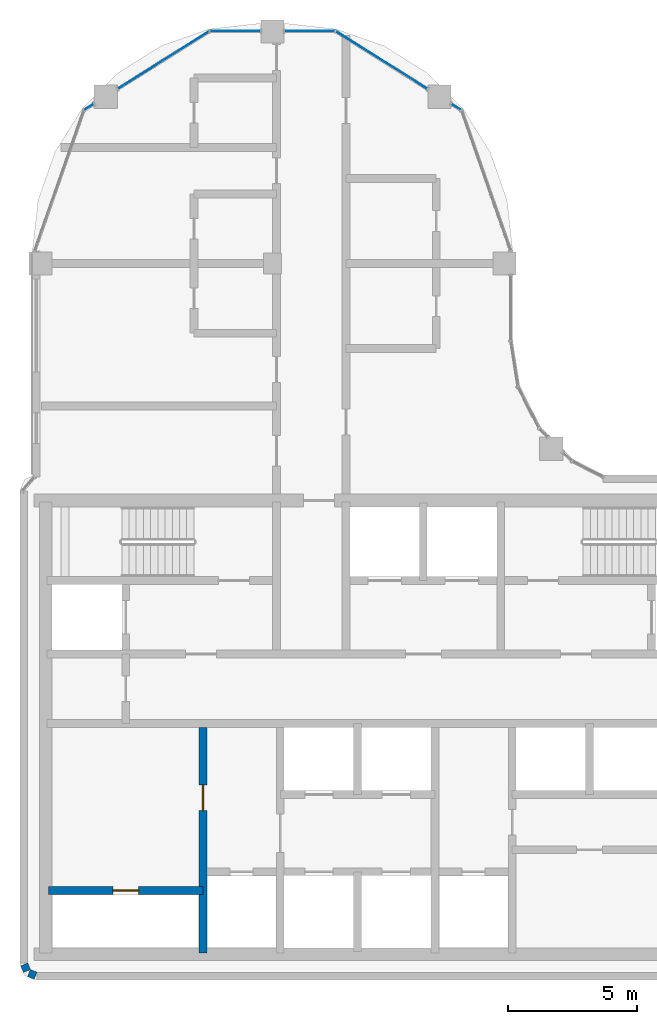
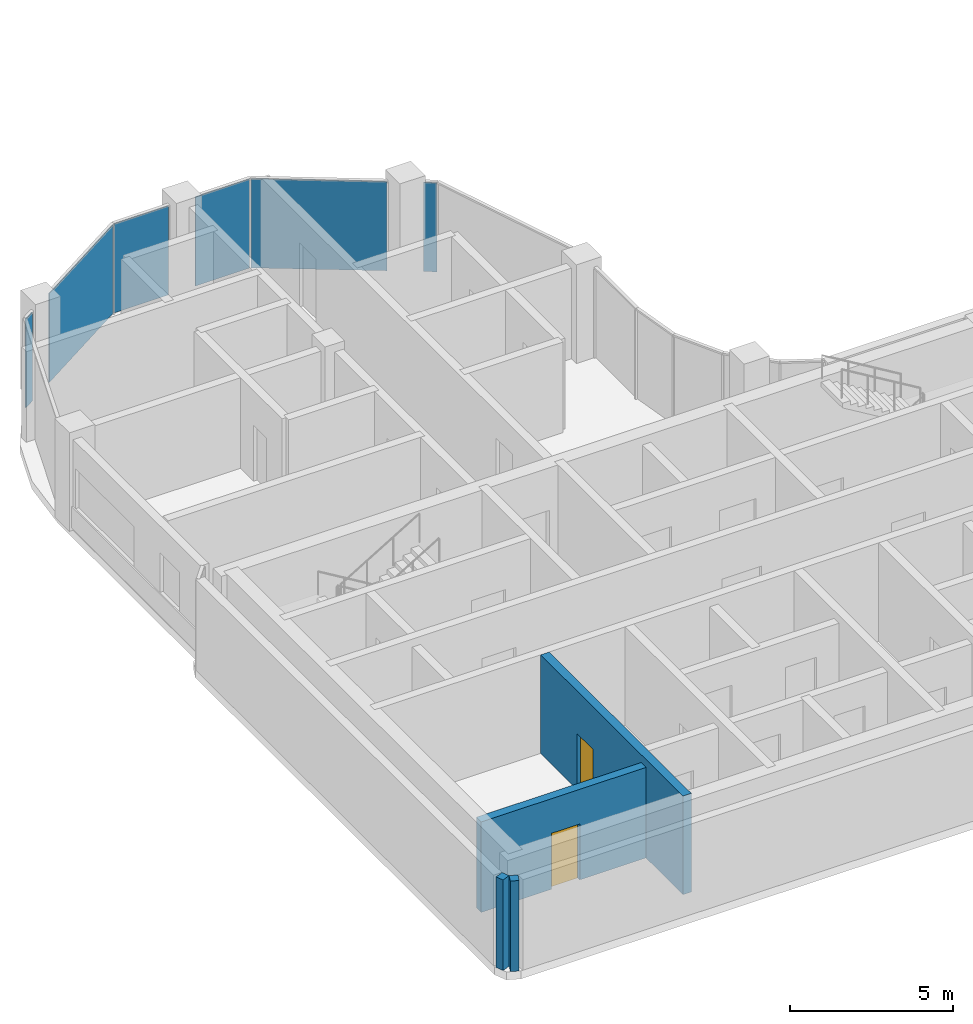
# One storey, part 9 of 19: 6 plates, 4 walls, 2 doors, 2 openings, 4 elements without a shape of their own.
"""IFC4 building model written with IfcOpenShell, lengths in metres."""

from ifc_helpers import new_model, si_unit, direction, frame, frame_2d, origin, origin_2d, place, context, subcontext, project, spatial, rectangle, extrude, material, layer, layer_set, type_object, element, fill, aggregate, save


model = new_model("IFC4")

# Units and contexts
model_context = context("Model", 3, precision=1e-05, world=origin(), true_north=direction((0.0, 1.0)))
body_context = subcontext(model_context, "Body", "Model", "MODEL_VIEW")
ifc_project = project(units=[si_unit("LENGTHUNIT", "METRE"), si_unit("AREAUNIT", "SQUARE_METRE"), si_unit("VOLUMEUNIT", "CUBIC_METRE"), si_unit("PLANEANGLEUNIT", "RADIAN"), si_unit("MASSUNIT", "GRAM", prefix="KILO")], contexts=[model_context])

# Site, building, storey
site_placement = place(None, origin())
site = spatial("IfcSite", under=ifc_project, at=site_placement, CompositionType="ELEMENT")
building_placement = place(site_placement, origin())
building = spatial("IfcBuilding", under=site, at=building_placement, Name="Ogive Portal Towers", CompositionType="ELEMENT")
storey_placement = place(building_placement, frame((0.0, 0.0, 218.0)))
storey = spatial("IfcBuildingStorey", under=building, at=storey_placement, Name="L54", CompositionType="ELEMENT", Elevation=218.0)

# Curtain wall, plate
ifc_material_1 = material(Name="Glass, clear low-iron insulated glazing", Category="glass")
curtain_wall_type = type_object("IfcCurtainWallType", Name="CW FRONT RIBBON 4500", PredefinedType="NOTDEFINED", material=ifc_material_1)
curtain_wall_1_placement = place(storey_placement, origin())
curtain_wall_1 = element("IfcCurtainWall", 1, at=curtain_wall_1_placement, inside=storey, type_object=curtain_wall_type, Name="A:L54:f07:cwa~0", PredefinedType="NOTDEFINED")
ifc_layer_1 = layer(ifc_material_1, 0.028076171875)
ifc_layer_set_1 = layer_set([ifc_layer_1], Name="CW PANEL IGU 28")
plate_type = type_object("IfcPlateType", Name="CW PANEL IGU 28", PredefinedType="CURTAIN_PANEL", material=ifc_layer_set_1)
plate_1_placement = place(storey_placement, frame((47.626220703125, 54.573974609375, 0.0), z_axis=(0.0, 0.0, 1.0), x_axis=(-0.846724199227, 0.532032076517, 0.0)))
plate_1 = element("IfcPlate", 2, at=plate_1_placement, type_object=plate_type, Name="panel", PredefinedType="CURTAIN_PANEL", context=body_context, shape_type="SweptSolid", body=[
    extrude(rectangle(XDim=0.420166015625, YDim=0.028076171875, at=origin_2d()), origin(), (0.0, 0.0, 1.0), 3.340087890625),
])
aggregate(curtain_wall_1, [plate_1])

# Curtain wall, plates
curtain_wall_2_placement = place(storey_placement, origin())
curtain_wall_2 = element("IfcCurtainWall", 3, at=curtain_wall_2_placement, inside=storey, type_object=curtain_wall_type, Name="A:L54:f07:cwa~1", PredefinedType="NOTDEFINED")
plate_2_placement = place(storey_placement, frame((44.731201171875, 56.39306640625, 0.0), z_axis=(0.0, 0.0, 1.0), x_axis=(-0.846724199227, 0.532032076517, 0.0)))
plate_2 = element("IfcPlate", 4, at=plate_2_placement, type_object=plate_type, Name="panel", PredefinedType="CURTAIN_PANEL", context=body_context, shape_type="SweptSolid", body=[
    extrude(rectangle(XDim=4.172119140625, YDim=0.028076171875, at=origin_2d()), origin(), (0.0, 0.0, 1.0), 3.340087890625),
])
plate_3_placement = place(storey_placement, frame((41.94482421875, 57.518798828125, 0.0), z_axis=(0.0, 0.0, 1.0), x_axis=(-1.0, 0.0, 0.0)))
plate_3 = element("IfcPlate", 5, at=plate_3_placement, type_object=plate_type, Name="panel", PredefinedType="CURTAIN_PANEL", context=body_context, shape_type="SweptSolid", body=[
    extrude(rectangle(XDim=1.9296875, YDim=0.028076171875, at=origin_2d()), origin(), (0.0, 0.0, 1.0), 3.340087890625),
])
aggregate(curtain_wall_2, [plate_2, plate_3])

curtain_wall_3_placement = place(storey_placement, origin())
curtain_wall_3 = element("IfcCurtainWall", 6, at=curtain_wall_3_placement, inside=storey, type_object=curtain_wall_type, Name="A:L54:f07:cwa~2", PredefinedType="NOTDEFINED")
plate_4_placement = place(storey_placement, frame((39.05517578125, 57.518798828125, 0.0), z_axis=(0.0, 0.0, 1.0), x_axis=(-1.0, 0.0, 0.0)))
plate_4 = element("IfcPlate", 7, at=plate_4_placement, type_object=plate_type, Name="panel", PredefinedType="CURTAIN_PANEL", context=body_context, shape_type="SweptSolid", body=[
    extrude(rectangle(XDim=1.9296875, YDim=0.028076171875, at=origin_2d()), origin(), (0.0, 0.0, 1.0), 3.340087890625),
])
plate_5_placement = place(storey_placement, frame((36.268798828125, 56.39306640625, 0.0), z_axis=(0.0, 0.0, 1.0), x_axis=(-0.846724199227, -0.532032076517, 0.0)))
plate_5 = element("IfcPlate", 8, at=plate_5_placement, type_object=plate_type, Name="panel", PredefinedType="CURTAIN_PANEL", context=body_context, shape_type="SweptSolid", body=[
    extrude(rectangle(XDim=4.172119140625, YDim=0.028076171875, at=origin_2d()), origin(), (0.0, 0.0, 1.0), 3.340087890625),
])
aggregate(curtain_wall_3, [plate_4, plate_5])

# Curtain wall, plate
curtain_wall_4_placement = place(storey_placement, origin())
curtain_wall_4 = element("IfcCurtainWall", 9, at=curtain_wall_4_placement, inside=storey, type_object=curtain_wall_type, Name="A:L54:f07:cwa~3", PredefinedType="NOTDEFINED")
plate_6_placement = place(storey_placement, frame((33.373779296875, 54.573974609375, 0.0), z_axis=(0.0, 0.0, 1.0), x_axis=(-0.846724199227, -0.532032076517, 0.0)))
plate_6 = element("IfcPlate", 10, at=plate_6_placement, type_object=plate_type, Name="panel", PredefinedType="CURTAIN_PANEL", context=body_context, shape_type="SweptSolid", body=[
    extrude(rectangle(XDim=0.420166015625, YDim=0.028076171875, at=origin_2d()), origin(), (0.0, 0.0, 1.0), 3.340087890625),
])
aggregate(curtain_wall_4, [plate_6])

# Wall, opening, door
ifc_material_2 = material(Name="Concrete C60/75", Category="concrete")
ifc_layer_2 = layer(ifc_material_2, 0.300048828125)
ifc_layer_set_2 = layer_set([ifc_layer_2], Name="CORE WALL 300 C60")
wall_type_1 = type_object("IfcWallType", Name="CORE WALL 300 C60", PredefinedType="SHEAR", material=ifc_layer_set_2)
wall_1_placement = place(storey_placement, frame((37.800048828125, 21.75, 0.0), z_axis=(0.0, 0.0, 1.0), x_axis=(0.0, 1.0, 0.0)))
wall_1 = element("IfcWall", 11, at=wall_1_placement, inside=storey, type_object=wall_type_1, Name="Core wall X1 L54", PredefinedType="SHEAR", context=body_context, shape_type="SweptSolid", body=[
    extrude(rectangle(XDim=8.75, YDim=0.300048828125, at=frame_2d((4.375, 0.0))), origin(), (0.0, 0.0, 1.0), 3.699951171875),
])
opening_1_placement = place(wall_1_placement, frame((5.52490234375, 0.0, 0.0)))
opening_1 = element("IfcOpeningElement", 12, at=opening_1_placement, cuts=wall_1, Name="Opening D24-020", PredefinedType="OPENING", context=body_context, shape_type="SweptSolid", body=[
    extrude(rectangle(XDim=1.0, YDim=2.10009765625, at=frame_2d((0.5, 1.050048828125))), frame((0.0, 0.16015625, 0.0), z_axis=(0.0, -1.0, 0.0), x_axis=(1.0, 0.0, 0.0)), (0.0, 0.0, 1.0), 0.320068359375),
])
ifc_material_3 = material(Name="Steel fire door", Category="steel")
door_type_1 = type_object("IfcDoorType", Name="DT-SWING-1000x2100-FD90S", OperationType="SINGLE_SWING_LEFT", PredefinedType="DOOR", material=ifc_material_3)
door_1_placement = place(opening_1_placement, origin())
door_1 = element("IfcDoor", 13, at=door_1_placement, inside=storey, type_object=door_type_1, Name="Door D24-020", OperationType="SINGLE_SWING_LEFT", OverallHeight=2.10009765625, OverallWidth=1.0, PredefinedType="DOOR", context=body_context, shape_type="SweptSolid", body=[
    extrude(rectangle(XDim=1.0, YDim=2.10009765625, at=frame_2d((0.5, 1.050048828125))), frame((0.0, 0.02490234375, 0.0), z_axis=(0.0, -1.0, 0.0), x_axis=(1.0, 0.0, 0.0)), (0.0, 0.0, 1.0), 0.050048828125),
])
fill(opening_1, door_1)

# Walls
ifc_material_4 = material(Name="Limestone cladding on lightweight block wall", Category="masonry")
ifc_layer_3 = layer(ifc_material_4, 0.300048828125)
ifc_layer_set_3 = layer_set([ifc_layer_3], Name="EXTERNAL WALL 300 STONE")
wall_type_2 = type_object("IfcWallType", Name="EXTERNAL WALL 300 STONE", PredefinedType="SOLIDWALL", material=ifc_layer_set_3)
for number, where, z_axis, x_axis, name in (
    (14, (30.861328125, 21.30224609375, 0.0), (0.0, 0.0, 1.0), (0.38297812142, -0.923757413239, 0.0), "A:L54:f15:r0:wall"),
    (15, (31.0478515625, 20.966796875, 0.0), (0.0, 0.0, 1.0), (0.923757413239, -0.38297812142, 0.0), "A:L54:f16:r0:wall"),
):
    element("IfcWall", number, at=place(storey_placement, frame(where, z_axis=z_axis, x_axis=x_axis)), inside=storey, type_object=wall_type_2, Name=name, PredefinedType="SOLIDWALL", context=body_context, shape_type="SweptSolid", body=[
        extrude(rectangle(XDim=0.275390625, YDim=0.300048828125, at=frame_2d((0.1376953125, 0.0))), origin(), (0.0, 0.0, 1.0), 3.39990234375),
    ])

# Wall, opening, door
ifc_material_5 = material(Name="Gypsum board partition on steel studs", Category="steel")
ifc_layer_4 = layer(ifc_material_5, 0.300048828125)
ifc_layer_set_4 = layer_set([ifc_layer_4], Name="WT-PART-300")
wall_type_3 = type_object("IfcWallType", Name="WT-PART-300", PredefinedType="PARTITIONING", material=ifc_layer_set_4)
wall_2_placement = place(storey_placement, frame((31.800048828125, 24.173095703125, 0.0), z_axis=(0.0, 0.0, 1.0), x_axis=(1.0, 0.0, 0.0)))
wall_2 = element("IfcWall", 16, at=wall_2_placement, inside=storey, type_object=wall_type_3, Name="Wall pw:001:L54", PredefinedType="PARTITIONING", context=body_context, shape_type="SweptSolid", body=[
    extrude(rectangle(XDim=6.0, YDim=0.300048828125, at=frame_2d((3.0, 0.0))), origin(), (0.0, 0.0, 1.0), 3.39990234375),
])
opening_2_placement = place(wall_2_placement, frame((2.5, 0.0, 0.0)))
opening_2 = element("IfcOpeningElement", 17, at=opening_2_placement, cuts=wall_2, Name="Opening D24-021", PredefinedType="OPENING", context=body_context, shape_type="SweptSolid", body=[
    extrude(rectangle(XDim=1.0, YDim=2.10009765625, at=frame_2d((0.5, 1.050048828125))), frame((0.0, 0.16015625, 0.0), z_axis=(0.0, -1.0, 0.0), x_axis=(1.0, 0.0, 0.0)), (0.0, 0.0, 1.0), 0.320068359375),
])
door_type_2 = type_object("IfcDoorType", Name="DT-SWING-1000x2100-FD60S", OperationType="SINGLE_SWING_LEFT", PredefinedType="DOOR", material=ifc_material_3)
door_2_placement = place(opening_2_placement, origin())
door_2 = element("IfcDoor", 18, at=door_2_placement, inside=storey, type_object=door_type_2, Name="Riser access door D24-021", OperationType="SINGLE_SWING_RIGHT", OverallHeight=2.10009765625, OverallWidth=1.0, PredefinedType="DOOR", context=body_context, shape_type="SweptSolid", body=[
    extrude(rectangle(XDim=1.0, YDim=2.10009765625, at=frame_2d((0.5, 1.050048828125))), frame((0.0, 0.02490234375, 0.0), z_axis=(0.0, -1.0, 0.0), x_axis=(1.0, 0.0, 0.0)), (0.0, 0.0, 1.0), 0.050048828125),
])
fill(opening_2, door_2)

save(model, "model.ifc")
